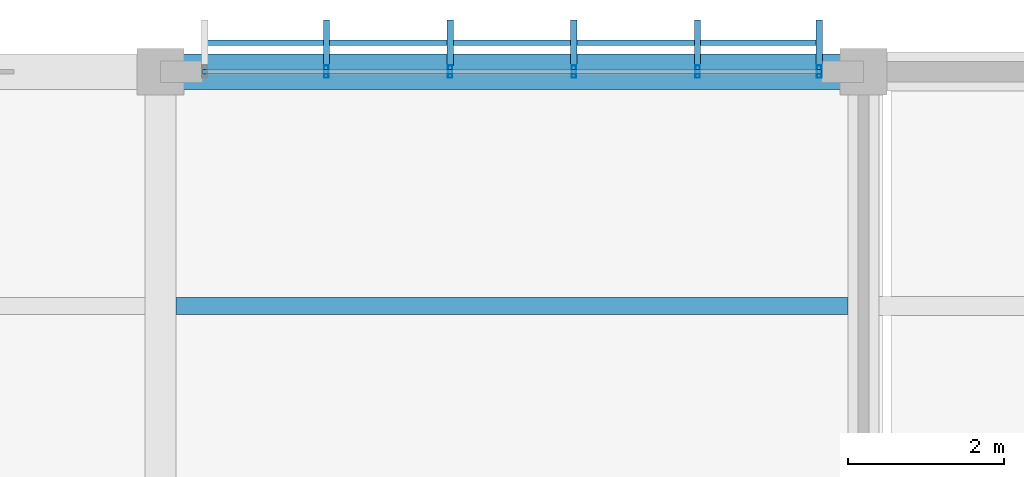
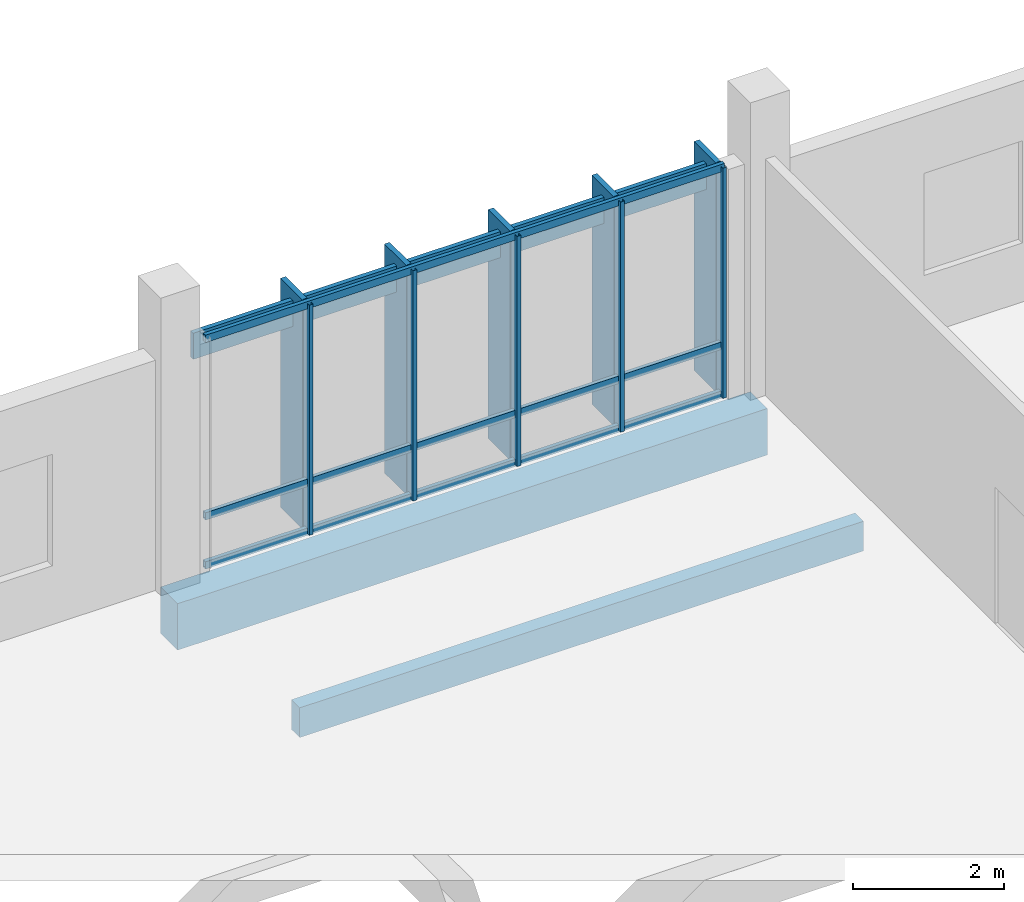
# One storey, part 127 of 177: 14 members, 2 beams, 1 element without a shape of its own.
"""IFC4 building model written with IfcOpenShell, lengths in metres."""

from ifc_helpers import new_model, si_unit, direction, frame, origin, origin_2d, place, context, subcontext, project, spatial, rectangle, hollow_rectangle, extrude, material, material_profile, profile_set, type_object, element, aggregate, save


model = new_model("IFC4")

# Units and contexts
model_context = context("Model", 3, precision=1e-05, world=origin(), true_north=direction((0.0, 1.0)))
body_context = subcontext(model_context, "Body", "Model", "MODEL_VIEW")
ifc_project = project(units=[si_unit("LENGTHUNIT", "METRE"), si_unit("AREAUNIT", "SQUARE_METRE"), si_unit("VOLUMEUNIT", "CUBIC_METRE"), si_unit("PLANEANGLEUNIT", "RADIAN"), si_unit("MASSUNIT", "GRAM", prefix="KILO")], contexts=[model_context])

# Site, building, storey
site_placement = place(None, origin())
site = spatial("IfcSite", under=ifc_project, at=site_placement, CompositionType="ELEMENT")
building_placement = place(site_placement, origin())
building = spatial("IfcBuilding", under=site, at=building_placement, Name="Chiffa Square Polytechnic", CompositionType="ELEMENT")
storey_placement = place(building_placement, frame((0.0, 0.0, 4.800048828125)))
storey = spatial("IfcBuildingStorey", under=building, at=storey_placement, Name="L01", CompositionType="ELEMENT", Elevation=4.800048828125)

# Beam
ifc_material_1 = material(Name="Concrete C35/45", Category="concrete")
ifc_material_profile_1 = material_profile(ifc_material_1, rectangle(XDim=0.449951171875, YDim=0.75, at=origin_2d()), Name="RC 450x750")
ifc_profile_set_1 = profile_set([ifc_material_profile_1], Name="Concrete C35/45")
beam_type_1 = type_object("IfcBeamType", Name="BM-RC-450X750", PredefinedType="BEAM", material=ifc_profile_set_1)
beam_1_placement = place(storey_placement, frame((102.60009765625, 130.800048828125, -0.655029296875), z_axis=(1.0, 0.0, 0.0), x_axis=(0.0, 1.0, 0.0)))
element("IfcBeam", 1, at=beam_1_placement, inside=storey, type_object=beam_type_1, Name="Primary floor girder BM-V5-L01-X-1026-1308", PredefinedType="BEAM", context=body_context, shape_type="SweptSolid", body=[
    extrude(rectangle(XDim=0.449951171875, YDim=0.75, at=origin_2d()), origin(), (0.0, 0.0, 1.0), 9.0),
])

# Curtain wall, members
ifc_material_2 = material(Name="Aluminium EN AW-6060 T66 and glulam shading", Category="wood")
curtain_wall_type = type_object("IfcCurtainWallType", Name="CW-VERT-360X380", PredefinedType="USERDEFINED", material=ifc_material_2)
curtain_wall_placement = place(storey_placement, origin())
curtain_wall = element("IfcCurtainWall", 2, at=curtain_wall_placement, inside=storey, type_object=curtain_wall_type, Name="Curtain wall CW-V5-L01-205", ObjectType="CURTAIN WALL", PredefinedType="USERDEFINED")
ifc_material_3 = material(Name="Aluminium EN AW-6060 T66", Category="aluminium")
ifc_material_profile_2 = material_profile(ifc_material_3, hollow_rectangle(XDim=0.06005859375, YDim=0.159912109375, WallThickness=0.00390625, at=origin_2d()), Name="ALU 60x160x4")
ifc_profile_set_2 = profile_set([ifc_material_profile_2], Name="Aluminium EN AW-6060 T66")
member_type_1 = type_object("IfcMemberType", Name="CWM-ALU-65X150", PredefinedType="MULLION", material=ifc_profile_set_2)
member_1_placement = place(storey_placement, frame((111.034912109375, 130.800048828125, 0.0), z_axis=(0.0, 0.0, 1.0), x_axis=(1.0, 0.0, 0.0)))
member_1 = element("IfcMember", 3, at=member_1_placement, type_object=member_type_1, Name="Curtain wall mullion CW-V5-L01-205-M00", PredefinedType="MULLION", context=body_context, shape_type="SweptSolid", body=[
    extrude(hollow_rectangle(XDim=0.06005859375, YDim=0.159912109375, WallThickness=0.00390625, at=origin_2d()), origin(), (0.0, 0.0, 1.0), 3.71484375),
])
member_2_placement = place(storey_placement, frame((109.47607421875, 130.800048828125, 0.0), z_axis=(0.0, 0.0, 1.0), x_axis=(1.0, 0.0, 0.0)))
member_2 = element("IfcMember", 4, at=member_2_placement, type_object=member_type_1, Name="Curtain wall mullion CW-V5-L01-205-M01", PredefinedType="MULLION", context=body_context, shape_type="SweptSolid", body=[
    extrude(hollow_rectangle(XDim=0.06005859375, YDim=0.159912109375, WallThickness=0.00390625, at=origin_2d()), origin(), (0.0, 0.0, 1.0), 3.71484375),
])
member_3_placement = place(storey_placement, frame((107.89208984375, 130.800048828125, 0.0), z_axis=(0.0, 0.0, 1.0), x_axis=(1.0, 0.0, 0.0)))
member_3 = element("IfcMember", 5, at=member_3_placement, type_object=member_type_1, Name="Curtain wall mullion CW-V5-L01-205-M02", PredefinedType="MULLION", context=body_context, shape_type="SweptSolid", body=[
    extrude(hollow_rectangle(XDim=0.06005859375, YDim=0.159912109375, WallThickness=0.00390625, at=origin_2d()), origin(), (0.0, 0.0, 1.0), 3.71484375),
])
member_4_placement = place(storey_placement, frame((106.30810546875, 130.800048828125, 0.0), z_axis=(0.0, 0.0, 1.0), x_axis=(1.0, 0.0, 0.0)))
member_4 = element("IfcMember", 6, at=member_4_placement, type_object=member_type_1, Name="Curtain wall mullion CW-V5-L01-205-M03", PredefinedType="MULLION", context=body_context, shape_type="SweptSolid", body=[
    extrude(hollow_rectangle(XDim=0.06005859375, YDim=0.159912109375, WallThickness=0.00390625, at=origin_2d()), origin(), (0.0, 0.0, 1.0), 3.71484375),
])
member_5_placement = place(storey_placement, frame((104.72412109375, 130.800048828125, 0.0), z_axis=(0.0, 0.0, 1.0), x_axis=(1.0, 0.0, 0.0)))
member_5 = element("IfcMember", 7, at=member_5_placement, type_object=member_type_1, Name="Curtain wall mullion CW-V5-L01-205-M04", PredefinedType="MULLION", context=body_context, shape_type="SweptSolid", body=[
    extrude(hollow_rectangle(XDim=0.06005859375, YDim=0.159912109375, WallThickness=0.00390625, at=origin_2d()), origin(), (0.0, 0.0, 1.0), 3.71484375),
])
ifc_material_4 = material(Name="Glulam GL28h", Category="wood")
ifc_material_profile_3 = material_profile(ifc_material_4, rectangle(XDim=0.080078125, YDim=0.580078125, at=origin_2d()), Name="GL28h 80x580")
ifc_profile_set_3 = profile_set([ifc_material_profile_3], Name="Glulam GL28h")
member_type_2 = type_object("IfcMemberType", Name="CWM-GL-80X580", PredefinedType="MULLION", material=ifc_profile_set_3)
member_6_placement = place(storey_placement, frame((111.034912109375, 131.172119140625, 0.010009765625), z_axis=(0.0, 0.0, 1.0), x_axis=(-1.0, 0.0, 0.0)))
member_6 = element("IfcMember", 8, at=member_6_placement, type_object=member_type_2, Name="Exterior glulam solar fin CW-V5-L01-205-FN00", PredefinedType="MULLION", context=body_context, shape_type="SweptSolid", body=[
    extrude(rectangle(XDim=0.080078125, YDim=0.580078125, at=origin_2d()), origin(), (0.0, 0.0, 1.0), 3.69482421875),
])
member_7_placement = place(storey_placement, frame((109.47607421875, 131.172119140625, 0.010009765625), z_axis=(0.0, 0.0, 1.0), x_axis=(-1.0, 0.0, 0.0)))
member_7 = element("IfcMember", 9, at=member_7_placement, type_object=member_type_2, Name="Exterior glulam solar fin CW-V5-L01-205-FN01", PredefinedType="MULLION", context=body_context, shape_type="SweptSolid", body=[
    extrude(rectangle(XDim=0.080078125, YDim=0.580078125, at=origin_2d()), origin(), (0.0, 0.0, 1.0), 3.69482421875),
])
member_8_placement = place(storey_placement, frame((107.89208984375, 131.172119140625, 0.010009765625), z_axis=(0.0, 0.0, 1.0), x_axis=(-1.0, 0.0, 0.0)))
member_8 = element("IfcMember", 10, at=member_8_placement, type_object=member_type_2, Name="Exterior glulam solar fin CW-V5-L01-205-FN02", PredefinedType="MULLION", context=body_context, shape_type="SweptSolid", body=[
    extrude(rectangle(XDim=0.080078125, YDim=0.580078125, at=origin_2d()), origin(), (0.0, 0.0, 1.0), 3.69482421875),
])
member_9_placement = place(storey_placement, frame((106.30810546875, 131.172119140625, 0.010009765625), z_axis=(0.0, 0.0, 1.0), x_axis=(-1.0, 0.0, 0.0)))
member_9 = element("IfcMember", 11, at=member_9_placement, type_object=member_type_2, Name="Exterior glulam solar fin CW-V5-L01-205-FN03", PredefinedType="MULLION", context=body_context, shape_type="SweptSolid", body=[
    extrude(rectangle(XDim=0.080078125, YDim=0.580078125, at=origin_2d()), origin(), (0.0, 0.0, 1.0), 3.69482421875),
])
member_10_placement = place(storey_placement, frame((104.72412109375, 131.172119140625, 0.010009765625), z_axis=(0.0, 0.0, 1.0), x_axis=(-1.0, 0.0, 0.0)))
member_10 = element("IfcMember", 12, at=member_10_placement, type_object=member_type_2, Name="Exterior glulam solar fin CW-V5-L01-205-FN04", PredefinedType="MULLION", context=body_context, shape_type="SweptSolid", body=[
    extrude(rectangle(XDim=0.080078125, YDim=0.580078125, at=origin_2d()), origin(), (0.0, 0.0, 1.0), 3.69482421875),
])
ifc_material_profile_4 = material_profile(ifc_material_3, hollow_rectangle(XDim=0.06005859375, YDim=0.1201171875, WallThickness=0.00390625, at=origin_2d()), Name="ALU 60x120x4")
ifc_profile_set_4 = profile_set([ifc_material_profile_4], Name="Aluminium EN AW-6060 T66")
member_type_3 = type_object("IfcMemberType", Name="CWT-ALU-65X120", PredefinedType="USERDEFINED", material=ifc_profile_set_4)
member_11_placement = place(storey_placement, frame((111.06201171875, 130.800048828125, 0.030029296875), z_axis=(-1.0, 0.0, 0.0), x_axis=(0.0, -1.0, 0.0)))
member_11 = element("IfcMember", 13, at=member_11_placement, type_object=member_type_3, Name="Curtain wall transom CW-V5-L01-205-T01", ObjectType="TRANSOM", PredefinedType="USERDEFINED", context=body_context, shape_type="SweptSolid", body=[
    extrude(hollow_rectangle(XDim=0.06005859375, YDim=0.1201171875, WallThickness=0.00390625, at=origin_2d()), origin(), (0.0, 0.0, 1.0), 7.924072265625),
])
member_12_placement = place(storey_placement, frame((111.06201171875, 130.800048828125, 0.820068359375), z_axis=(-1.0, 0.0, 0.0), x_axis=(0.0, -1.0, 0.0)))
member_12 = element("IfcMember", 14, at=member_12_placement, type_object=member_type_3, Name="Curtain wall transom CW-V5-L01-205-T02", ObjectType="TRANSOM", PredefinedType="USERDEFINED", context=body_context, shape_type="SweptSolid", body=[
    extrude(hollow_rectangle(XDim=0.06005859375, YDim=0.1201171875, WallThickness=0.00390625, at=origin_2d()), origin(), (0.0, 0.0, 1.0), 7.924072265625),
])
member_13_placement = place(storey_placement, frame((111.06201171875, 130.800048828125, 3.68505859375), z_axis=(-1.0, 0.0, 0.0), x_axis=(0.0, -1.0, 0.0)))
member_13 = element("IfcMember", 15, at=member_13_placement, type_object=member_type_3, Name="Curtain wall transom CW-V5-L01-205-T03", ObjectType="TRANSOM", PredefinedType="USERDEFINED", context=body_context, shape_type="SweptSolid", body=[
    extrude(hollow_rectangle(XDim=0.06005859375, YDim=0.1201171875, WallThickness=0.00390625, at=origin_2d()), origin(), (0.0, 0.0, 1.0), 7.924072265625),
])
ifc_material_profile_5 = material_profile(ifc_material_4, rectangle(XDim=0.070068359375, YDim=0.419921875, at=origin_2d()), Name="GL28h 70x420")
ifc_profile_set_5 = profile_set([ifc_material_profile_5], Name="Glulam GL28h")
member_type_4 = type_object("IfcMemberType", Name="CWT-GL-70X420", PredefinedType="USERDEFINED", material=ifc_profile_set_5)
member_14_placement = place(storey_placement, frame((111.034912109375, 131.172119140625, 3.3349609375), z_axis=(-1.0, 0.0, 0.0), x_axis=(0.0, -1.0, 0.0)))
member_14 = element("IfcMember", 16, at=member_14_placement, type_object=member_type_4, Name="Exterior glulam brise-soleil CW-V5-L01-205-BS01", ObjectType="TRANSOM", PredefinedType="USERDEFINED", context=body_context, shape_type="SweptSolid", body=[
    extrude(rectangle(XDim=0.070068359375, YDim=0.419921875, at=origin_2d()), origin(), (0.0, 0.0, 1.0), 7.869873046875),
])
aggregate(curtain_wall, [member_1, member_6, member_2, member_7, member_3, member_8, member_4, member_9, member_5, member_10, member_11, member_12, member_13, member_14])

# Beam
ifc_material_profile_6 = material_profile(ifc_material_4, rectangle(XDim=0.219970703125, YDim=0.47998046875, at=origin_2d()), Name="GL28h 220x480")
ifc_profile_set_6 = profile_set([ifc_material_profile_6], Name="Glulam GL28h")
beam_type_2 = type_object("IfcBeamType", Name="JST-GL-220X480", PredefinedType="JOIST", material=ifc_profile_set_6)
beam_2_placement = place(storey_placement, frame((102.798095703125, 127.800048828125, -0.52001953125), z_axis=(1.0, 0.0, 0.0), x_axis=(0.0, 1.0, 0.0)))
element("IfcBeam", 17, at=beam_2_placement, inside=storey, type_object=beam_type_2, Name="Secondary floor joist JST-V5-L01-1026-1278", PredefinedType="JOIST", context=body_context, shape_type="SweptSolid", body=[
    extrude(rectangle(XDim=0.219970703125, YDim=0.47998046875, at=origin_2d()), origin(), (0.0, 0.0, 1.0), 8.60400390625),
])

save(model, "model.ifc")
